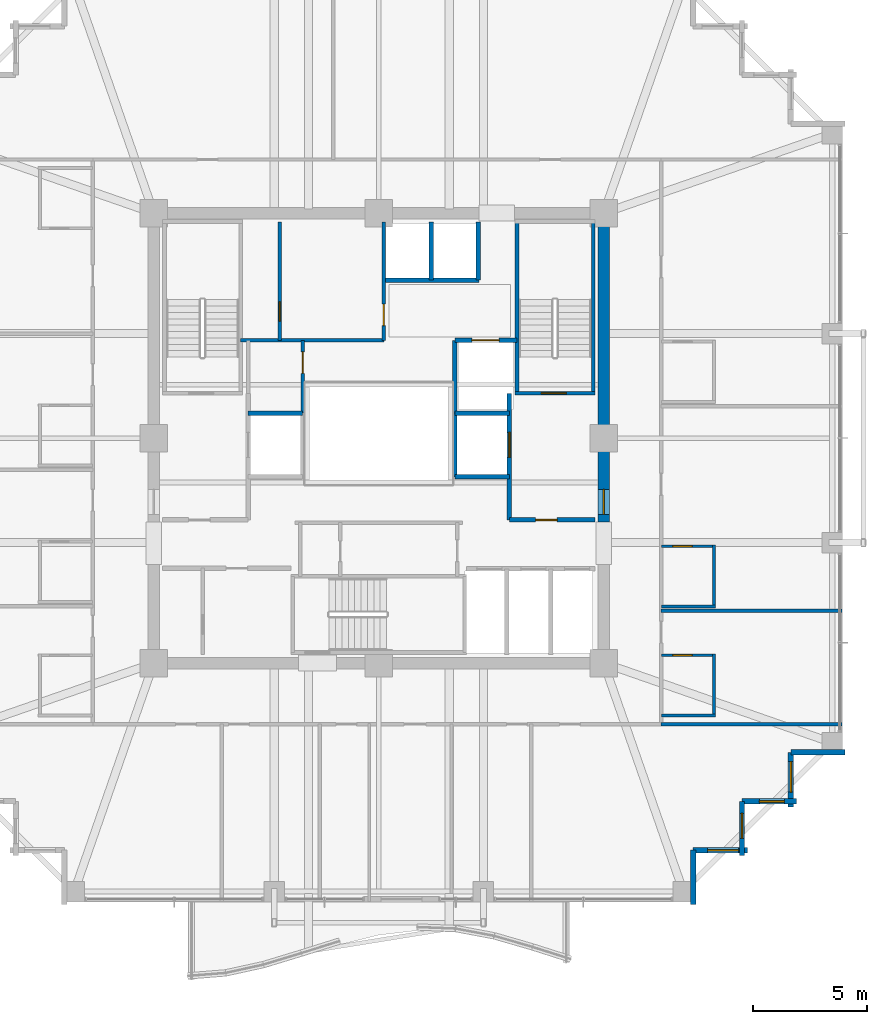
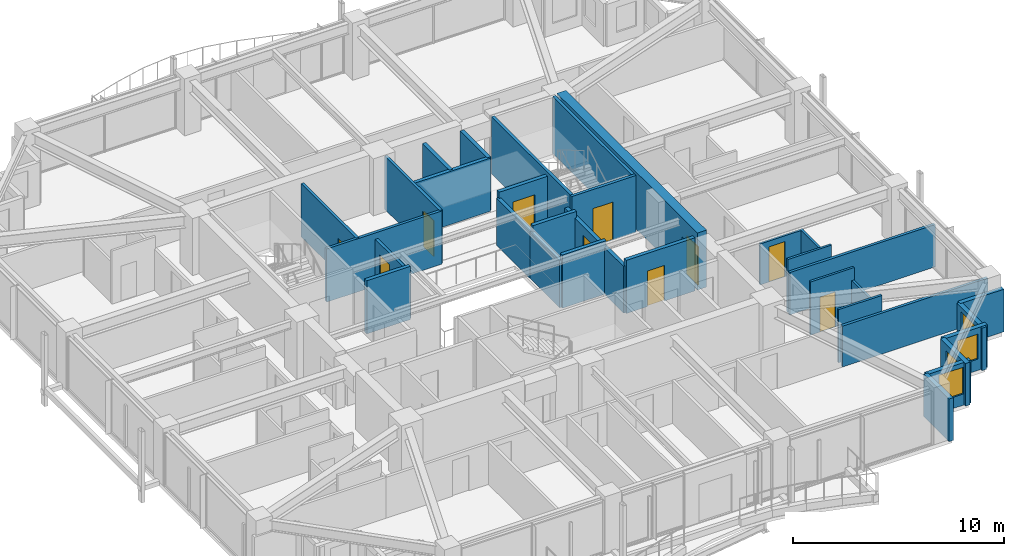
# One storey, part 33 of 37: 33 walls, 10 doors, 4 windows, 14 openings.
"""IFC4 building model written with IfcOpenShell, lengths in metres."""

import ifcopenshell
import ifcopenshell.guid

model = None  # the IFC model being written
_history = None  # IfcOwnerHistory: only IFC2X3 demands one
_inside = {}  # id of a spatial element -> (the spatial element, [elements in it])
_under = {}  # id of a project, library or spatial element -> (it, [spatial elements below it])
_declared = {}  # id of a project -> (the project, [libraries it declares])
_typed = {}  # id of a type object -> (the type object, [elements of that type])
_made_of = {}  # id of a material, layer set ... -> (it, [elements and type objects made of it])


def new_model(schema):
    """Start an empty IFC model of exactly this schema.

    Asked for "IFC4X3", IfcOpenShell would pick the latest addendum, in which some entities
    have other attributes; the version numbers below select the first issue.
    IFC2X3 requires an IfcOwnerHistory on every rooted entity: one is made here for all.
    """
    global model, _history
    if schema == "IFC4X3":
        model = ifcopenshell.file(schema_version=(4, 3, 0, 0))
    else:
        model = ifcopenshell.file(schema=schema)
    _inside.clear()
    _under.clear()
    _declared.clear()
    _typed.clear()
    _made_of.clear()
    _history = None
    if model.schema == "IFC2X3":
        org = make("IfcOrganization", Name="unknown")
        user = make(
            "IfcPersonAndOrganization",
            ThePerson=make("IfcPerson", FamilyName="unknown"),
            TheOrganization=org,
        )
        app = make(
            "IfcApplication",
            ApplicationDeveloper=org,
            Version="unknown",
            ApplicationFullName="unknown",
            ApplicationIdentifier="unknown",
        )
        _history = make(
            "IfcOwnerHistory",
            OwningUser=user,
            OwningApplication=app,
            ChangeAction="ADDED",
            CreationDate=0,
        )
    return model


def make(cls, **values):
    """One entity of the class cls with the attributes given. An attribute that is None is left unset."""
    return model.create_entity(
        cls, **{name: value for name, value in values.items() if value is not None}
    )


def rooted(cls, **values):
    """An entity with a GlobalId (a new one), such as an element, a storey or a relation."""
    return make(cls, GlobalId=ifcopenshell.guid.new(), OwnerHistory=_history, **values)


def si_unit(unit_type, name, prefix=None):
    """IfcSIUnit, for example si_unit("LENGTHUNIT", "METRE", prefix="MILLI")."""
    return make("IfcSIUnit", UnitType=unit_type, Prefix=prefix, Name=name)


def assignment(units):
    """IfcUnitAssignment: the units of a project."""
    return None if units is None else make("IfcUnitAssignment", Units=units)


def point(xyz):
    """IfcCartesianPoint."""
    return None if xyz is None else make("IfcCartesianPoint", Coordinates=xyz)


def direction(xyz):
    """IfcDirection."""
    return None if xyz is None else make("IfcDirection", DirectionRatios=xyz)


def frame(location, z_axis=None, x_axis=None):
    """IfcAxis2Placement3D, a coordinate frame: its origin and axes. An axis left out is left unset."""
    return make(
        "IfcAxis2Placement3D",
        Location=point(location),
        Axis=direction(z_axis),
        RefDirection=direction(x_axis),
    )


def frame_2d(location, x_axis=None):
    """IfcAxis2Placement2D, a coordinate frame in the plane: its origin and x axis."""
    return make(
        "IfcAxis2Placement2D", Location=point(location), RefDirection=direction(x_axis)
    )


def origin():
    """The frame at (0, 0, 0) with its axes left unset."""
    return frame((0.0, 0.0, 0.0))


def place(relative_to, where):
    """IfcLocalPlacement: puts the frame where relative to a parent placement (None: the world)."""
    return make(
        "IfcLocalPlacement", PlacementRelTo=relative_to, RelativePlacement=where
    )


def context(
    kind, dimensions, precision=None, world=None, true_north=None, identifier=None
):
    """IfcGeometricRepresentationContext, for example the 3D "Model" context."""
    return make(
        "IfcGeometricRepresentationContext",
        ContextIdentifier=identifier,
        ContextType=kind,
        CoordinateSpaceDimension=dimensions,
        Precision=precision,
        WorldCoordinateSystem=world,
        TrueNorth=true_north,
    )


def subcontext(parent, identifier, kind, view, scale=None):
    """IfcGeometricRepresentationSubContext, for example "Body" below "Model"."""
    return make(
        "IfcGeometricRepresentationSubContext",
        ContextIdentifier=identifier,
        ContextType=kind,
        ParentContext=parent,
        TargetScale=scale,
        TargetView=view,
    )


def project(units=None, contexts=None):
    """IfcProject with its units and contexts."""
    return rooted(
        "IfcProject",
        Name="project",
        RepresentationContexts=contexts,
        UnitsInContext=assignment(units),
    )


def spatial(cls, under=None, at=None, **own):
    """A site, building, storey or space (cls), placed at a placement, below another one or the project."""
    s = rooted(cls, ObjectPlacement=at, **own)
    if under is not None:
        _under.setdefault(under.id(), (under, []))[1].append(s)
    return s


def profile(cls, at=None, kind="AREA", **sizes):
    """A parametric profile (cls). Its sizes go by their IFC names, for example OverallWidth=200.0."""
    return make(cls, ProfileType=kind, Position=at, **sizes)


def rectangle(**sizes):
    """IfcRectangleProfileDef."""
    return profile("IfcRectangleProfileDef", **sizes)


def extrude(swept, where, along, depth):
    """IfcExtrudedAreaSolid: the profile swept, set in the frame where, extruded along a direction by depth."""
    return make(
        "IfcExtrudedAreaSolid",
        SweptArea=swept,
        Position=where,
        ExtrudedDirection=direction(along),
        Depth=depth,
    )


def shape(context_of_items, identifier, shape_type, items):
    """IfcShapeRepresentation: the items that make up one representation, for example the "Body"."""
    return make(
        "IfcShapeRepresentation",
        ContextOfItems=context_of_items,
        RepresentationIdentifier=identifier,
        RepresentationType=shape_type,
        Items=items,
    )


def material(Name=None, Category=None):
    """IfcMaterial."""
    return make("IfcMaterial", Name=Name, Category=Category)


def layer(
    of_material, thickness, ventilated=None, Name=None, Category=None, Priority=None
):
    """IfcMaterialLayer: one layer of a wall or slab, of a material (None: an air gap)."""
    return make(
        "IfcMaterialLayer",
        Material=of_material,
        LayerThickness=thickness,
        IsVentilated=ventilated,
        Name=Name,
        Category=Category,
        Priority=Priority,
    )


def layer_set(layers, Name=None):
    """IfcMaterialLayerSet."""
    return make("IfcMaterialLayerSet", MaterialLayers=layers, LayerSetName=Name)


def made_of(thing, what):
    """Note that an element or type object is made of a material, layer set ...; save() writes the relation."""
    if what is not None:
        _made_of.setdefault(what.id(), (what, []))[1].append(thing)
    return thing


def type_object(cls, material=None, **own):
    """A type object (cls), such as IfcWallType, which elements share."""
    return made_of(rooted(cls, **own), material)


def element(
    cls,
    number,
    at=None,
    inside=None,
    cuts=None,
    type_object=None,
    material=None,
    context=None,
    identifier="Body",
    shape_type=None,
    held_by="IfcProductDefinitionShape",
    body=None,
    shapes=None,
    **own,
):
    """One element of the class cls, such as IfcWall. Its Tag is "e" and its number.

    at: its placement. inside: the storey or other place that contains it. cuts: it is an
    opening in that element (IfcRelVoidsElement). A single representation is given by context,
    identifier, shape_type and body (its items); several are given by shapes. held_by: the class
    of the entity that holds the representations. save() writes the other relations.
    """
    e = rooted(cls, Tag="e%d" % number, ObjectPlacement=at, **own)
    if body is not None:
        shapes = [shape(context, identifier, shape_type, body)]
    if shapes is not None:
        e.Representation = make(held_by, Representations=shapes)
    if inside is not None:
        _inside.setdefault(inside.id(), (inside, []))[1].append(e)
    if cuts is not None:
        rooted(
            "IfcRelVoidsElement", RelatingBuildingElement=cuts, RelatedOpeningElement=e
        )
    if type_object is not None:
        _typed.setdefault(type_object.id(), (type_object, []))[1].append(e)
    return made_of(e, material)


def fill(opening, filler):
    """IfcRelFillsElement: the door or window that sits in an opening."""
    return rooted(
        "IfcRelFillsElement",
        RelatingOpeningElement=opening,
        RelatedBuildingElement=filler,
    )


def aggregate(whole, parts):
    """IfcRelAggregates: a whole, such as a stair, and the parts it consists of."""
    return rooted("IfcRelAggregates", RelatingObject=whole, RelatedObjects=parts)


def save(model, path):
    """Write the relations noted so far, then the file.

    IfcRelAggregates (storeys below a building ...), IfcRelContainedInSpatialStructure (elements
    in a storey), IfcRelDefinesByType, IfcRelAssociatesMaterial and IfcRelDeclares: one each for
    every whole, place, type object, material and project.
    """
    for whole, parts in _under.values():
        aggregate(whole, parts)
    for where, things in _inside.values():
        rooted(
            "IfcRelContainedInSpatialStructure",
            RelatedElements=things,
            RelatingStructure=where,
        )
    for kind, things in _typed.values():
        rooted("IfcRelDefinesByType", RelatedObjects=things, RelatingType=kind)
    for what, things in _made_of.values():
        rooted("IfcRelAssociatesMaterial", RelatedObjects=things, RelatingMaterial=what)
    for by, libraries in _declared.values():
        rooted("IfcRelDeclares", RelatingContext=by, RelatedDefinitions=libraries)
    model.write(path)


model = new_model("IFC4")

# Units and contexts
model_context = context("Model", 3, precision=1e-05, world=origin(), true_north=direction((0.0, 1.0)))
body_context = subcontext(model_context, "Body", "Model", "MODEL_VIEW")
ifc_project = project(units=[si_unit("LENGTHUNIT", "METRE"), si_unit("AREAUNIT", "SQUARE_METRE"), si_unit("VOLUMEUNIT", "CUBIC_METRE"), si_unit("PLANEANGLEUNIT", "RADIAN"), si_unit("MASSUNIT", "GRAM", prefix="KILO")], contexts=[model_context])

# Site, building, storey
site_placement = place(None, origin())
site = spatial("IfcSite", under=ifc_project, at=site_placement, CompositionType="ELEMENT")
building_placement = place(site_placement, origin())
building = spatial("IfcBuilding", under=site, at=building_placement, Name="Kolvaren Belvedere", CompositionType="ELEMENT")
storey_placement = place(building_placement, frame((0.0, 0.0, 173.39990234375)))
storey = spatial("IfcBuildingStorey", under=building, at=storey_placement, Name="L50", CompositionType="ELEMENT", Elevation=173.39990234375)

# Wall, opening, door
ifc_material_1 = material(Name="Concrete C50/60", Category="concrete")
ifc_layer_1 = layer(ifc_material_1, 0.5)
ifc_layer_set_1 = layer_set([ifc_layer_1], Name="Concrete C50/60")
wall_type_1 = type_object("IfcWallType", Name="CW-CORE-500", PredefinedType="SHEAR", material=ifc_layer_set_1)
wall_1_placement = place(storey_placement, frame((9.89990234375, -3.699951171875, 0.0), z_axis=(0.0, 0.0, 1.0), x_axis=(0.0, 1.0, 0.0)))
wall_1 = element("IfcWall", 1, at=wall_1_placement, inside=storey, type_object=wall_type_1, Name="L50 East Core Shear Wall 2", PredefinedType="SHEAR", context=body_context, shape_type="SweptSolid", body=[
    extrude(rectangle(XDim=13.349853515625, YDim=0.5, at=frame_2d((6.6748046875, 0.0))), origin(), (0.0, 0.0, 1.0), 3.300048828125),
])
opening_1_placement = place(wall_1_placement, frame((0.35009765625, 0.0, 0.0)))
opening_1 = element("IfcOpeningElement", 2, at=opening_1_placement, cuts=wall_1, Name="Opening D-FD90", PredefinedType="OPENING", context=body_context, shape_type="SweptSolid", body=[
    extrude(rectangle(XDim=1.10009765625, YDim=2.199951171875, at=frame_2d((0.550048828125, 1.10009765625))), frame((0.0, 0.260009765625, 0.0), z_axis=(0.0, -1.0, 0.0), x_axis=(1.0, 0.0, 0.0)), (0.0, 0.0, 1.0), 0.52001953125),
])
ifc_material_2 = material(Name="Painted hollow stainless steel", Category="steel")
door_type_1 = type_object("IfcDoorType", Name="DR-FD90-1100", OperationType="NOTDEFINED", PredefinedType="DOOR", material=ifc_material_2)
door_1_placement = place(opening_1_placement, origin())
door_1 = element("IfcDoor", 3, at=door_1_placement, inside=storey, type_object=door_type_1, Name="L50 East Firefighting Lobby Fire Door", OperationType="SINGLE_SWING_RIGHT", OverallHeight=2.199951171875, OverallWidth=1.10009765625, PredefinedType="DOOR", context=body_context, shape_type="SweptSolid", body=[
    extrude(rectangle(XDim=1.10009765625, YDim=2.199951171875, at=frame_2d((0.550048828125, 1.10009765625))), frame((0.0, 0.02490234375, 0.0), z_axis=(0.0, -1.0, 0.0), x_axis=(1.0, 0.0, 0.0)), (0.0, 0.0, 1.0), 0.050048828125),
])
fill(opening_1, door_1)

ifc_material_3 = material(Name="Concrete C50/60", Category="concrete")
ifc_layer_2 = layer(ifc_material_3, 0.159912109375)
ifc_layer_set_2 = layer_set([ifc_layer_2], Name="Concrete C50/60")
wall_type_2 = type_object("IfcWallType", Name="CW-STAIR-160", PredefinedType="SHEAR", material=ifc_layer_set_2)
wall_2_placement = place(storey_placement, frame((6.0, 1.969970703125, 0.0), z_axis=(0.0, 0.0, 1.0), x_axis=(1.0, 0.0, 0.0)))
wall_2 = element("IfcWall", 4, at=wall_2_placement, inside=storey, type_object=wall_type_2, Name="L50 Stair ST-2 South Shear Wall", PredefinedType="SHEAR", context=body_context, shape_type="SweptSolid", body=[
    extrude(rectangle(XDim=3.52001953125, YDim=0.159912109375, at=frame_2d((1.760009765625, 0.0))), origin(), (0.0, 0.0, 1.0), 3.300048828125),
])
opening_2_placement = place(wall_2_placement, frame((1.14990234375, 0.0, 0.0)))
opening_2 = element("IfcOpeningElement", 5, at=opening_2_placement, cuts=wall_2, Name="Opening D-FD90", PredefinedType="OPENING", context=body_context, shape_type="SweptSolid", body=[
    extrude(rectangle(XDim=1.10009765625, YDim=2.199951171875, at=frame_2d((0.550048828125, 1.10009765625))), frame((0.0, 0.08984375, 0.0), z_axis=(0.0, -1.0, 0.0), x_axis=(1.0, 0.0, 0.0)), (0.0, 0.0, 1.0), 0.179931640625),
])
door_2_placement = place(opening_2_placement, origin())
door_2 = element("IfcDoor", 6, at=door_2_placement, inside=storey, type_object=door_type_1, Name="L50 Stair ST-2 Fire Door", OperationType="SINGLE_SWING_RIGHT", OverallHeight=2.199951171875, OverallWidth=1.10009765625, PredefinedType="DOOR", context=body_context, shape_type="SweptSolid", body=[
    extrude(rectangle(XDim=1.10009765625, YDim=2.199951171875, at=frame_2d((0.550048828125, 1.10009765625))), frame((0.0, 0.02490234375, 0.0), z_axis=(0.0, -1.0, 0.0), x_axis=(1.0, 0.0, 0.0)), (0.0, 0.0, 1.0), 0.050048828125),
])
fill(opening_2, door_2)

# Walls
for number, where, z_axis, x_axis, name in (
    (7, (6.080078125, 1.969970703125, 0.0), (0.0, 0.0, 1.0), (0.0, 1.0, 0.0), "L50 Stair ST-2 West Shear Wall"),
    (8, (9.429931640625, 1.969970703125, 0.0), (0.0, 0.0, 1.0), (0.0, 1.0, 0.0), "L50 Stair ST-2 East Shear Wall"),
):
    element("IfcWall", number, at=place(storey_placement, frame(where, z_axis=z_axis, x_axis=x_axis)), inside=storey, type_object=wall_type_2, Name=name, PredefinedType="SHEAR", context=body_context, shape_type="SweptSolid", body=[
        extrude(rectangle(XDim=7.56005859375, YDim=0.159912109375, at=frame_2d((3.780029296875, 0.0))), origin(), (0.0, 0.0, 1.0), 3.300048828125),
    ])
ifc_material_4 = material(Name="Insulated pale-metal facade wall assembly", Category="aluminium")
ifc_layer_3 = layer(ifc_material_4, 0.239990234375)
ifc_layer_set_3 = layer_set([ifc_layer_3], Name="Insulated pale-metal facade wall assembly")
wall_type_3 = type_object("IfcWallType", Name="WL-EXT-240", PredefinedType="STANDARD", material=ifc_layer_set_3)
wall_3_placement = place(storey_placement, frame((13.830078125, -18.1298828125, 0.0), z_axis=(0.0, 0.0, 1.0), x_axis=(0.0, -1.0, 0.0)))
element("IfcWall", 9, at=wall_3_placement, inside=storey, type_object=wall_type_3, Name="L50 Serrated Corner Facade Wall 2", PredefinedType="STANDARD", context=body_context, shape_type="SweptSolid", body=[
    extrude(rectangle(XDim=2.39013671875, YDim=0.239990234375, at=frame_2d((1.195068359375, 0.0))), origin(), (0.0, 0.0, 1.0), 2.463134765625),
])

# Wall, opening, window
wall_4_placement = place(storey_placement, frame((16.219970703125, -18.1298828125, 0.0), z_axis=(0.0, 0.0, 1.0), x_axis=(-1.0, 0.0, 0.0)))
wall_4 = element("IfcWall", 10, at=wall_4_placement, inside=storey, type_object=wall_type_3, Name="L50 Serrated Corner Facade Wall 3", PredefinedType="STANDARD", context=body_context, shape_type="SweptSolid", body=[
    extrude(rectangle(XDim=2.389892578125, YDim=0.239990234375, at=frame_2d((1.19482421875, 0.0))), origin(), (0.0, 0.0, 1.0), 2.463134765625),
])
opening_3_placement = place(wall_4_placement, frame((0.39990234375, 0.0, 0.64990234375)))
opening_3 = element("IfcOpeningElement", 11, at=opening_3_placement, cuts=wall_4, Name="Opening W-1350", PredefinedType="OPENING", context=body_context, shape_type="SweptSolid", body=[
    extrude(rectangle(XDim=1.35009765625, YDim=1.550048828125, at=frame_2d((0.675048828125, 0.77490234375))), frame((0.0, 0.1298828125, 0.0), z_axis=(0.0, -1.0, 0.0), x_axis=(1.0, 0.0, 0.0)), (0.0, 0.0, 1.0), 0.260009765625),
])
ifc_material_5 = material(Name="Low-iron triple insulated glass", Category="glass")
window_type_1 = type_object("IfcWindowType", Name="WN-CORN-1350", PartitioningType="SINGLE_PANEL", PredefinedType="WINDOW", material=ifc_material_5)
window_1_placement = place(opening_3_placement, origin())
window_1 = element("IfcWindow", 12, at=window_1_placement, inside=storey, type_object=window_type_1, Name="L50 Serrated Corner Vision Window 3", OverallHeight=1.550048828125, OverallWidth=1.35009765625, PartitioningType="SINGLE_PANEL", PredefinedType="WINDOW", context=body_context, shape_type="SweptSolid", body=[
    extrude(rectangle(XDim=1.35009765625, YDim=1.550048828125, at=frame_2d((0.675048828125, 0.77490234375))), frame((0.0, 0.030029296875, 0.0), z_axis=(0.0, -1.0, 0.0), x_axis=(1.0, 0.0, 0.0)), (0.0, 0.0, 1.0), 0.06005859375),
])
fill(opening_3, window_1)

wall_5_placement = place(storey_placement, frame((15.97998046875, -15.97998046875, 0.0), z_axis=(0.0, 0.0, 1.0), x_axis=(0.0, -1.0, 0.0)))
wall_5 = element("IfcWall", 13, at=wall_5_placement, inside=storey, type_object=wall_type_3, Name="L50 Serrated Corner Facade Wall 4", PredefinedType="STANDARD", context=body_context, shape_type="SweptSolid", body=[
    extrude(rectangle(XDim=2.39013671875, YDim=0.239990234375, at=frame_2d((1.195068359375, 0.0))), origin(), (0.0, 0.0, 1.0), 2.463134765625),
])
opening_4_placement = place(wall_5_placement, frame((0.52490234375, 0.0, 0.64990234375)))
opening_4 = element("IfcOpeningElement", 14, at=opening_4_placement, cuts=wall_5, Name="Opening W-1100", PredefinedType="OPENING", context=body_context, shape_type="SweptSolid", body=[
    extrude(rectangle(XDim=1.10009765625, YDim=1.449951171875, at=frame_2d((0.550048828125, 0.72509765625))), frame((0.0, 0.1298828125, 0.0), z_axis=(0.0, -1.0, 0.0), x_axis=(1.0, 0.0, 0.0)), (0.0, 0.0, 1.0), 0.260009765625),
])
ifc_material_6 = material(Name="Low-iron triple insulated glass", Category="glass")
window_type_2 = type_object("IfcWindowType", Name="WN-CORN-1100", PartitioningType="SINGLE_PANEL", PredefinedType="WINDOW", material=ifc_material_6)
window_2_placement = place(opening_4_placement, origin())
window_2 = element("IfcWindow", 15, at=window_2_placement, inside=storey, type_object=window_type_2, Name="L50 Serrated Corner Vision Window 4", OverallHeight=1.449951171875, OverallWidth=1.10009765625, PartitioningType="SINGLE_PANEL", PredefinedType="WINDOW", context=body_context, shape_type="SweptSolid", body=[
    extrude(rectangle(XDim=1.10009765625, YDim=1.449951171875, at=frame_2d((0.550048828125, 0.72509765625))), frame((0.0, 0.030029296875, 0.0), z_axis=(0.0, -1.0, 0.0), x_axis=(1.0, 0.0, 0.0)), (0.0, 0.0, 1.0), 0.06005859375),
])
fill(opening_4, window_2)

wall_6_placement = place(storey_placement, frame((18.3701171875, -15.97998046875, 0.0), z_axis=(0.0, 0.0, 1.0), x_axis=(-1.0, 0.0, 0.0)))
wall_6 = element("IfcWall", 16, at=wall_6_placement, inside=storey, type_object=wall_type_3, Name="L50 Serrated Corner Facade Wall 5", PredefinedType="STANDARD", context=body_context, shape_type="SweptSolid", body=[
    extrude(rectangle(XDim=2.39013671875, YDim=0.239990234375, at=frame_2d((1.195068359375, 0.0))), origin(), (0.0, 0.0, 1.0), 2.463134765625),
])
opening_5_placement = place(wall_6_placement, frame((0.52490234375, 0.0, 0.64990234375)))
opening_5 = element("IfcOpeningElement", 17, at=opening_5_placement, cuts=wall_6, Name="Opening W-1100", PredefinedType="OPENING", context=body_context, shape_type="SweptSolid", body=[
    extrude(rectangle(XDim=1.10009765625, YDim=1.449951171875, at=frame_2d((0.550048828125, 0.72509765625))), frame((0.0, 0.1298828125, 0.0), z_axis=(0.0, -1.0, 0.0), x_axis=(1.0, 0.0, 0.0)), (0.0, 0.0, 1.0), 0.260009765625),
])
window_3_placement = place(opening_5_placement, origin())
window_3 = element("IfcWindow", 18, at=window_3_placement, inside=storey, type_object=window_type_2, Name="L50 Serrated Corner Vision Window 5", OverallHeight=1.449951171875, OverallWidth=1.10009765625, PartitioningType="SINGLE_PANEL", PredefinedType="WINDOW", context=body_context, shape_type="SweptSolid", body=[
    extrude(rectangle(XDim=1.10009765625, YDim=1.449951171875, at=frame_2d((0.550048828125, 0.72509765625))), frame((0.0, 0.030029296875, 0.0), z_axis=(0.0, -1.0, 0.0), x_axis=(1.0, 0.0, 0.0)), (0.0, 0.0, 1.0), 0.06005859375),
])
fill(opening_5, window_3)

wall_7_placement = place(storey_placement, frame((18.1298828125, -13.830078125, 0.0), z_axis=(0.0, 0.0, 1.0), x_axis=(0.0, -1.0, 0.0)))
wall_7 = element("IfcWall", 19, at=wall_7_placement, inside=storey, type_object=wall_type_3, Name="L50 Serrated Corner Facade Wall 6", PredefinedType="STANDARD", context=body_context, shape_type="SweptSolid", body=[
    extrude(rectangle(XDim=2.389892578125, YDim=0.239990234375, at=frame_2d((1.19482421875, 0.0))), origin(), (0.0, 0.0, 1.0), 2.463134765625),
])
opening_6_placement = place(wall_7_placement, frame((0.39990234375, 0.0, 0.64990234375)))
opening_6 = element("IfcOpeningElement", 20, at=opening_6_placement, cuts=wall_7, Name="Opening W-1350", PredefinedType="OPENING", context=body_context, shape_type="SweptSolid", body=[
    extrude(rectangle(XDim=1.35009765625, YDim=1.550048828125, at=frame_2d((0.675048828125, 0.77490234375))), frame((0.0, 0.1298828125, 0.0), z_axis=(0.0, -1.0, 0.0), x_axis=(1.0, 0.0, 0.0)), (0.0, 0.0, 1.0), 0.260009765625),
])
window_4_placement = place(opening_6_placement, origin())
window_4 = element("IfcWindow", 21, at=window_4_placement, inside=storey, type_object=window_type_1, Name="L50 Serrated Corner Vision Window 6", OverallHeight=1.550048828125, OverallWidth=1.35009765625, PartitioningType="SINGLE_PANEL", PredefinedType="WINDOW", context=body_context, shape_type="SweptSolid", body=[
    extrude(rectangle(XDim=1.35009765625, YDim=1.550048828125, at=frame_2d((0.675048828125, 0.77490234375))), frame((0.0, 0.030029296875, 0.0), z_axis=(0.0, -1.0, 0.0), x_axis=(1.0, 0.0, 0.0)), (0.0, 0.0, 1.0), 0.06005859375),
])
fill(opening_6, window_4)

# Walls
wall_8_placement = place(storey_placement, frame((20.52001953125, -13.830078125, 0.0), z_axis=(0.0, 0.0, 1.0), x_axis=(-1.0, 0.0, 0.0)))
element("IfcWall", 22, at=wall_8_placement, inside=storey, type_object=wall_type_3, Name="L50 Serrated Corner Facade Wall 7", PredefinedType="STANDARD", context=body_context, shape_type="SweptSolid", body=[
    extrude(rectangle(XDim=2.39013671875, YDim=0.239990234375, at=frame_2d((1.195068359375, 0.0))), origin(), (0.0, 0.0, 1.0), 2.463134765625),
])
ifc_material_7 = material(Name="Gypsum acoustic partition assembly", Category="gypsum")
ifc_layer_4 = layer(ifc_material_7, 0.14990234375)
ifc_layer_set_4 = layer_set([ifc_layer_4], Name="Gypsum acoustic partition assembly")
wall_type_4 = type_object("IfcWallType", Name="WL-PART-150", PredefinedType="PARTITIONING", material=ifc_layer_set_4)
wall_9_placement = place(storey_placement, frame((-6.080078125, 4.300048828125, 0.0), z_axis=(0.0, 0.0, 1.0), x_axis=(1.0, 0.0, 0.0)))
element("IfcWall", 23, at=wall_9_placement, inside=storey, type_object=wall_type_4, Name="L50 Reclaimed Salon South Wall", PredefinedType="PARTITIONING", context=body_context, shape_type="SweptSolid", body=[
    extrude(rectangle(XDim=6.300048828125, YDim=0.14990234375, at=frame_2d((3.14990234375, 0.0))), origin(), (0.0, 0.0, 1.0), 3.080078125),
])

# Wall, opening, door
wall_10_placement = place(storey_placement, frame((0.219970703125, 4.300048828125, 0.0), z_axis=(0.0, 0.0, 1.0), x_axis=(0.0, 1.0, 0.0)))
wall_10 = element("IfcWall", 24, at=wall_10_placement, inside=storey, type_object=wall_type_4, Name="L50 Reclaimed Salon East Wall", PredefinedType="PARTITIONING", context=body_context, shape_type="SweptSolid", body=[
    extrude(rectangle(XDim=5.219970703125, YDim=0.14990234375, at=frame_2d((2.60986328125, 0.0))), origin(), (0.0, 0.0, 1.0), 3.080078125),
])
opening_7_placement = place(wall_10_placement, frame((0.64990234375, 0.0, 0.0)))
opening_7 = element("IfcOpeningElement", 25, at=opening_7_placement, cuts=wall_10, Name="Opening D-INT95", PredefinedType="OPENING", context=body_context, shape_type="SweptSolid", body=[
    extrude(rectangle(XDim=0.949951171875, YDim=2.06005859375, at=frame_2d((0.47509765625, 1.030029296875))), frame((0.0, 0.0849609375, 0.0), z_axis=(0.0, -1.0, 0.0), x_axis=(1.0, 0.0, 0.0)), (0.0, 0.0, 1.0), 0.169921875),
])
ifc_material_8 = material(Name="Stained Pacific white oak", Category="timber")
door_type_2 = type_object("IfcDoorType", Name="DR-INT-950", OperationType="NOTDEFINED", PredefinedType="DOOR", material=ifc_material_8)
door_3_placement = place(opening_7_placement, origin())
door_3 = element("IfcDoor", 26, at=door_3_placement, inside=storey, type_object=door_type_2, Name="L50 Art Salon Door", OperationType="SINGLE_SWING_LEFT", OverallHeight=2.06005859375, OverallWidth=0.949951171875, PredefinedType="DOOR", context=body_context, shape_type="SweptSolid", body=[
    extrude(rectangle(XDim=0.949951171875, YDim=2.06005859375, at=frame_2d((0.47509765625, 1.030029296875))), frame((0.0, 0.02490234375, 0.0), z_axis=(0.0, -1.0, 0.0), x_axis=(1.0, 0.0, 0.0)), (0.0, 0.0, 1.0), 0.050048828125),
])
fill(opening_7, door_3)

wall_11_placement = place(storey_placement, frame((-4.35009765625, 4.300048828125, 0.0), z_axis=(0.0, 0.0, 1.0), x_axis=(0.0, 1.0, 0.0)))
wall_11 = element("IfcWall", 27, at=wall_11_placement, inside=storey, type_object=wall_type_4, Name="L50 Reclaimed Archive Divider", PredefinedType="PARTITIONING", context=body_context, shape_type="SweptSolid", body=[
    extrude(rectangle(XDim=5.219970703125, YDim=0.14990234375, at=frame_2d((2.60986328125, 0.0))), origin(), (0.0, 0.0, 1.0), 3.080078125),
])
opening_8_placement = place(wall_11_placement, frame((0.85009765625, 0.0, 0.0)))
opening_8 = element("IfcOpeningElement", 28, at=opening_8_placement, cuts=wall_11, Name="Opening D-INT85", PredefinedType="OPENING", context=body_context, shape_type="SweptSolid", body=[
    extrude(rectangle(XDim=0.85009765625, YDim=2.030029296875, at=frame_2d((0.425048828125, 1.01513671875))), frame((0.0, 0.0849609375, 0.0), z_axis=(0.0, -1.0, 0.0), x_axis=(1.0, 0.0, 0.0)), (0.0, 0.0, 1.0), 0.169921875),
])
ifc_material_9 = material(Name="Stained Pacific white oak", Category="timber")
door_type_3 = type_object("IfcDoorType", Name="DR-INT-850", OperationType="NOTDEFINED", PredefinedType="DOOR", material=ifc_material_9)
door_4_placement = place(opening_8_placement, origin())
door_4 = element("IfcDoor", 29, at=door_4_placement, inside=storey, type_object=door_type_3, Name="L50 Archive Store Door", OperationType="SINGLE_SWING_RIGHT", OverallHeight=2.030029296875, OverallWidth=0.85009765625, PredefinedType="DOOR", context=body_context, shape_type="SweptSolid", body=[
    extrude(rectangle(XDim=0.85009765625, YDim=2.030029296875, at=frame_2d((0.425048828125, 1.01513671875))), frame((0.0, 0.02490234375, 0.0), z_axis=(0.0, -1.0, 0.0), x_axis=(1.0, 0.0, 0.0)), (0.0, 0.0, 1.0), 0.050048828125),
])
fill(opening_8, door_4)

wall_12_placement = place(storey_placement, frame((-3.35009765625, 1.10009765625, 0.0), z_axis=(0.0, 0.0, 1.0), x_axis=(0.0, 1.0, 0.0)))
wall_12 = element("IfcWall", 30, at=wall_12_placement, inside=storey, type_object=wall_type_4, Name="L50 NW Service Room East Wall", PredefinedType="PARTITIONING", context=body_context, shape_type="SweptSolid", body=[
    extrude(rectangle(XDim=3.199951171875, YDim=0.14990234375, at=frame_2d((1.60009765625, 0.0))), origin(), (0.0, 0.0, 1.0), 2.715087890625),
])
opening_9_placement = place(wall_12_placement, frame((1.75, 0.0, 0.0)))
opening_9 = element("IfcOpeningElement", 31, at=opening_9_placement, cuts=wall_12, Name="Opening D-FD60", PredefinedType="OPENING", context=body_context, shape_type="SweptSolid", body=[
    extrude(rectangle(XDim=0.949951171875, YDim=2.06005859375, at=frame_2d((0.47509765625, 1.030029296875))), frame((0.0, 0.0849609375, 0.0), z_axis=(0.0, -1.0, 0.0), x_axis=(1.0, 0.0, 0.0)), (0.0, 0.0, 1.0), 0.169921875),
])
ifc_material_10 = material(Name="Acoustic white-oak fire door leaf", Category="timber")
door_type_4 = type_object("IfcDoorType", Name="DR-FD60-950", OperationType="NOTDEFINED", PredefinedType="DOOR", material=ifc_material_10)
door_5_placement = place(opening_9_placement, origin())
door_5 = element("IfcDoor", 32, at=door_5_placement, inside=storey, type_object=door_type_4, Name="L50 NW Core Store Door", OperationType="SINGLE_SWING_LEFT", OverallHeight=2.06005859375, OverallWidth=0.949951171875, PredefinedType="DOOR", context=body_context, shape_type="SweptSolid", body=[
    extrude(rectangle(XDim=0.949951171875, YDim=2.06005859375, at=frame_2d((0.47509765625, 1.030029296875))), frame((0.0, 0.02490234375, 0.0), z_axis=(0.0, -1.0, 0.0), x_axis=(1.0, 0.0, 0.0)), (0.0, 0.0, 1.0), 0.050048828125),
])
fill(opening_9, door_5)

# Walls
wall_13_placement = place(storey_placement, frame((12.419921875, -12.580078125, 0.0), z_axis=(0.0, 0.0, 1.0), x_axis=(1.0, 0.0, 0.0)))
element("IfcWall", 33, at=wall_13_placement, inside=storey, type_object=wall_type_4, Name="L50 Wing Divider PW-L50-QSE", PredefinedType="PARTITIONING", context=body_context, shape_type="SweptSolid", body=[
    extrude(rectangle(XDim=7.9599609375, YDim=0.14990234375, at=frame_2d((3.97998046875, 0.0))), origin(), (0.0, 0.0, 1.0), 2.369140625),
])
wall_14_placement = place(storey_placement, frame((12.419921875, -7.60009765625, 0.0), z_axis=(0.0, 0.0, 1.0), x_axis=(1.0, 0.0, 0.0)))
element("IfcWall", 34, at=wall_14_placement, inside=storey, type_object=wall_type_4, Name="L50 East Suite Demising Wall 1", PredefinedType="PARTITIONING", context=body_context, shape_type="SweptSolid", body=[
    extrude(rectangle(XDim=7.9599609375, YDim=0.14990234375, at=frame_2d((3.97998046875, 0.0))), origin(), (0.0, 0.0, 1.0), 2.453125),
])
ifc_material_11 = material(Name="Concrete C50/60", Category="concrete")
ifc_layer_5 = layer(ifc_material_11, 0.199951171875)
ifc_layer_set_5 = layer_set([ifc_layer_5], Name="Concrete C50/60")
wall_type_5 = type_object("IfcWallType", Name="WL-SHAFT-200", PredefinedType="SOLIDWALL", material=ifc_layer_set_5)
wall_15_placement = place(storey_placement, frame((-5.75, 1.10009765625, 0.0), z_axis=(0.0, 0.0, 1.0), x_axis=(1.0, 0.0, 0.0)))
element("IfcWall", 35, at=wall_15_placement, inside=storey, type_object=wall_type_5, Name="L50 FSAE FS1 North Wall", PredefinedType="SOLIDWALL", context=body_context, shape_type="SweptSolid", body=[
    extrude(rectangle(XDim=2.39990234375, YDim=0.199951171875, at=frame_2d((1.199951171875, 0.0))), origin(), (0.0, 0.0, 1.0), 3.080078125),
])

# Wall, opening, door
wall_16_placement = place(storey_placement, frame((5.75, -3.60009765625, 0.0), z_axis=(0.0, 0.0, 1.0), x_axis=(1.0, 0.0, 0.0)))
wall_16 = element("IfcWall", 36, at=wall_16_placement, inside=storey, type_object=wall_type_5, Name="L50 East FSAE Lobby South Wall", PredefinedType="SOLIDWALL", context=body_context, shape_type="SweptSolid", body=[
    extrude(rectangle(XDim=3.77001953125, YDim=0.199951171875, at=frame_2d((1.885009765625, 0.0))), origin(), (0.0, 0.0, 1.0), 3.080078125),
])
opening_10_placement = place(wall_16_placement, frame((1.14990234375, 0.0, 0.0)))
opening_10 = element("IfcOpeningElement", 37, at=opening_10_placement, cuts=wall_16, Name="Opening D-FD60", PredefinedType="OPENING", context=body_context, shape_type="SweptSolid", body=[
    extrude(rectangle(XDim=0.949951171875, YDim=2.06005859375, at=frame_2d((0.47509765625, 1.030029296875))), frame((0.0, 0.10986328125, 0.0), z_axis=(0.0, -1.0, 0.0), x_axis=(1.0, 0.0, 0.0)), (0.0, 0.0, 1.0), 0.219970703125),
])
door_6_placement = place(opening_10_placement, origin())
door_6 = element("IfcDoor", 38, at=door_6_placement, inside=storey, type_object=door_type_4, Name="L50 SE Lift Lobby Fire Door", OperationType="SINGLE_SWING_RIGHT", OverallHeight=2.06005859375, OverallWidth=0.949951171875, PredefinedType="DOOR", context=body_context, shape_type="SweptSolid", body=[
    extrude(rectangle(XDim=0.949951171875, YDim=2.06005859375, at=frame_2d((0.47509765625, 1.030029296875))), frame((0.0, 0.02490234375, 0.0), z_axis=(0.0, -1.0, 0.0), x_axis=(1.0, 0.0, 0.0)), (0.0, 0.0, 1.0), 0.050048828125),
])
fill(opening_10, door_6)

wall_17_placement = place(storey_placement, frame((5.75, -3.60009765625, 0.0), z_axis=(0.0, 0.0, 1.0), x_axis=(0.0, 1.0, 0.0)))
wall_17 = element("IfcWall", 39, at=wall_17_placement, inside=storey, type_object=wall_type_5, Name="L50 FSAE FS2 Landing Wall", PredefinedType="SOLIDWALL", context=body_context, shape_type="SweptSolid", body=[
    extrude(rectangle(XDim=5.570068359375, YDim=0.199951171875, at=frame_2d((2.78515625, 0.0))), origin(), (0.0, 0.0, 1.0), 2.715087890625),
])
opening_11_placement = place(wall_17_placement, frame((2.75, 0.0, 0.0)))
opening_11 = element("IfcOpeningElement", 40, at=opening_11_placement, cuts=wall_17, Name="Opening LD-11", PredefinedType="OPENING", context=body_context, shape_type="SweptSolid", body=[
    extrude(rectangle(XDim=1.10009765625, YDim=2.199951171875, at=frame_2d((0.550048828125, 1.10009765625))), frame((0.0, 0.10986328125, 0.0), z_axis=(0.0, -1.0, 0.0), x_axis=(1.0, 0.0, 0.0)), (0.0, 0.0, 1.0), 0.219970703125),
])
ifc_material_12 = material(Name="Brushed stainless steel", Category="steel")
door_type_5 = type_object("IfcDoorType", Name="DR-LIFT-1100", OperationType="DOUBLE_DOOR_SLIDING", PredefinedType="DOOR", material=ifc_material_12)
door_7_placement = place(opening_11_placement, origin())
door_7 = element("IfcDoor", 41, at=door_7_placement, inside=storey, type_object=door_type_5, Name="L50 Firefighting Lift FS2 Landing Door", OperationType="DOUBLE_DOOR_SLIDING", OverallHeight=2.199951171875, OverallWidth=1.10009765625, PredefinedType="DOOR", context=body_context, shape_type="SweptSolid", body=[
    extrude(rectangle(XDim=1.10009765625, YDim=2.199951171875, at=frame_2d((0.550048828125, 1.10009765625))), frame((0.0, 0.02490234375, 0.0), z_axis=(0.0, -1.0, 0.0), x_axis=(1.0, 0.0, 0.0)), (0.0, 0.0, 1.0), 0.050048828125),
])
fill(opening_11, door_7)

# Walls
wall_18_placement = place(storey_placement, frame((3.35009765625, -1.699951171875, 0.0), z_axis=(0.0, 0.0, 1.0), x_axis=(0.0, 1.0, 0.0)))
element("IfcWall", 42, at=wall_18_placement, inside=storey, type_object=wall_type_5, Name="L50 FSAE FS2 Back Wall", PredefinedType="SOLIDWALL", context=body_context, shape_type="SweptSolid", body=[
    extrude(rectangle(XDim=2.800048828125, YDim=0.199951171875, at=frame_2d((1.39990234375, 0.0))), origin(), (0.0, 0.0, 1.0), 2.715087890625),
])
for number, where, z_axis, x_axis, name in (
    (43, (3.35009765625, -1.699951171875, 0.0), (0.0, 0.0, 1.0), (1.0, 0.0, 0.0), "L50 FSAE FS2 South Wall"),
    (44, (3.35009765625, 1.10009765625, 0.0), (0.0, 0.0, 1.0), (1.0, 0.0, 0.0), "L50 FSAE FS2 North Wall"),
):
    element("IfcWall", number, at=place(storey_placement, frame(where, z_axis=z_axis, x_axis=x_axis)), inside=storey, type_object=wall_type_5, Name=name, PredefinedType="SOLIDWALL", context=body_context, shape_type="SweptSolid", body=[
        extrude(rectangle(XDim=2.39990234375, YDim=0.199951171875, at=frame_2d((1.199951171875, 0.0))), origin(), (0.0, 0.0, 1.0), 3.080078125),
    ])

# Wall, opening, door
wall_19_placement = place(storey_placement, frame((3.35009765625, 4.300048828125, 0.0), z_axis=(0.0, 0.0, 1.0), x_axis=(1.0, 0.0, 0.0)))
wall_19 = element("IfcWall", 45, at=wall_19_placement, inside=storey, type_object=wall_type_5, Name="L50 Service Lift SV1 Front Wall", PredefinedType="SOLIDWALL", context=body_context, shape_type="SweptSolid", body=[
    extrude(rectangle(XDim=2.72998046875, YDim=0.199951171875, at=frame_2d((1.364990234375, 0.0))), origin(), (0.0, 0.0, 1.0), 3.080078125),
])
opening_12_placement = place(wall_19_placement, frame((0.75, 0.0, 0.0)))
opening_12 = element("IfcOpeningElement", 46, at=opening_12_placement, cuts=wall_19, Name="Opening LD-12", PredefinedType="OPENING", context=body_context, shape_type="SweptSolid", body=[
    extrude(rectangle(XDim=1.199951171875, YDim=2.25, at=frame_2d((0.60009765625, 1.125))), frame((0.0, 0.10986328125, 0.0), z_axis=(0.0, -1.0, 0.0), x_axis=(1.0, 0.0, 0.0)), (0.0, 0.0, 1.0), 0.219970703125),
])
ifc_material_13 = material(Name="Brushed stainless steel", Category="steel")
door_type_6 = type_object("IfcDoorType", Name="DR-LIFT-1200", OperationType="DOUBLE_DOOR_SLIDING", PredefinedType="DOOR", material=ifc_material_13)
door_8_placement = place(opening_12_placement, origin())
door_8 = element("IfcDoor", 47, at=door_8_placement, inside=storey, type_object=door_type_6, Name="L50 Service Lift SV1 Landing Door", OperationType="DOUBLE_DOOR_SLIDING", OverallHeight=2.25, OverallWidth=1.199951171875, PredefinedType="DOOR", context=body_context, shape_type="SweptSolid", body=[
    extrude(rectangle(XDim=1.199951171875, YDim=2.25, at=frame_2d((0.60009765625, 1.125))), frame((0.0, 0.02490234375, 0.0), z_axis=(0.0, -1.0, 0.0), x_axis=(1.0, 0.0, 0.0)), (0.0, 0.0, 1.0), 0.050048828125),
])
fill(opening_12, door_8)

# Walls
wall_20_placement = place(storey_placement, frame((3.35009765625, 1.10009765625, 0.0), z_axis=(0.0, 0.0, 1.0), x_axis=(0.0, 1.0, 0.0)))
element("IfcWall", 48, at=wall_20_placement, inside=storey, type_object=wall_type_5, Name="L50 Service Lift SV1 West Wall", PredefinedType="SOLIDWALL", context=body_context, shape_type="SweptSolid", body=[
    extrude(rectangle(XDim=3.199951171875, YDim=0.199951171875, at=frame_2d((1.60009765625, 0.0))), origin(), (0.0, 0.0, 1.0), 2.715087890625),
])
wall_21_placement = place(storey_placement, frame((0.219970703125, 6.949951171875, 0.0), z_axis=(0.0, 0.0, 1.0), x_axis=(1.0, 0.0, 0.0)))
element("IfcWall", 49, at=wall_21_placement, inside=storey, type_object=wall_type_5, Name="L50 Express Shuttle Hoistway Wall", PredefinedType="SOLIDWALL", context=body_context, shape_type="SweptSolid", body=[
    extrude(rectangle(XDim=4.179931640625, YDim=0.199951171875, at=frame_2d((2.08984375, 0.0))), origin(), (0.0, 0.0, 1.0), 3.080078125),
])
for number, where, z_axis, x_axis, name in (
    (50, (4.3798828125, 6.949951171875, 0.0), (0.0, 0.0, 1.0), (0.0, 1.0, 0.0), "L50 Express Shuttle East Wall"),
    (51, (2.31005859375, 6.949951171875, 0.0), (0.0, 0.0, 1.0), (0.0, 1.0, 0.0), "L50 Express Shuttle Divider"),
):
    element("IfcWall", number, at=place(storey_placement, frame(where, z_axis=z_axis, x_axis=x_axis)), inside=storey, type_object=wall_type_5, Name=name, PredefinedType="SOLIDWALL", context=body_context, shape_type="SweptSolid", body=[
        extrude(rectangle(XDim=2.570068359375, YDim=0.199951171875, at=frame_2d((1.28515625, 0.0))), origin(), (0.0, 0.0, 1.0), 3.080078125),
    ])

# Wall, opening, door
ifc_material_14 = material(Name="Moisture-resistant gypsum partition", Category="gypsum")
ifc_layer_6 = layer(ifc_material_14, 0.125)
ifc_layer_set_6 = layer_set([ifc_layer_6], Name="Moisture-resistant gypsum partition")
wall_type_6 = type_object("IfcWallType", Name="WL-WET-125", PredefinedType="PARTITIONING", material=ifc_layer_set_6)
wall_22_placement = place(storey_placement, frame((12.43505859375, -9.551025390625, 0.0), z_axis=(0.0, 0.0, 1.0), x_axis=(1.0, 0.0, 0.0)))
wall_22 = element("IfcWall", 52, at=wall_22_placement, inside=storey, type_object=wall_type_6, Name="L50 Bathroom Partition PW-L50-BTH-5-N", PredefinedType="PARTITIONING", context=body_context, shape_type="SweptSolid", body=[
    extrude(rectangle(XDim=2.389892578125, YDim=0.125, at=frame_2d((1.19482421875, 0.0))), origin(), (0.0, 0.0, 1.0), 3.080078125),
])
opening_13_placement = place(wall_22_placement, frame((0.5, 0.0, 0.0)))
opening_13 = element("IfcOpeningElement", 53, at=opening_13_placement, cuts=wall_22, Name="Opening D-BTH85", PredefinedType="OPENING", context=body_context, shape_type="SweptSolid", body=[
    extrude(rectangle(XDim=0.85009765625, YDim=2.030029296875, at=frame_2d((0.425048828125, 1.01513671875))), frame((0.0, 0.072509765625, 0.0), z_axis=(0.0, -1.0, 0.0), x_axis=(1.0, 0.0, 0.0)), (0.0, 0.0, 1.0), 0.14501953125),
])
ifc_material_15 = material(Name="Moisture-sealed Pacific white oak", Category="timber")
door_type_7 = type_object("IfcDoorType", Name="DR-BATH-850", OperationType="NOTDEFINED", PredefinedType="DOOR", material=ifc_material_15)
door_9_placement = place(opening_13_placement, origin())
door_9 = element("IfcDoor", 54, at=door_9_placement, inside=storey, type_object=door_type_7, Name="L50 En-Suite Bathroom 5005 Door", OperationType="SINGLE_SWING_RIGHT", OverallHeight=2.030029296875, OverallWidth=0.85009765625, PredefinedType="DOOR", context=body_context, shape_type="SweptSolid", body=[
    extrude(rectangle(XDim=0.85009765625, YDim=2.030029296875, at=frame_2d((0.425048828125, 1.01513671875))), frame((0.0, 0.02490234375, 0.0), z_axis=(0.0, -1.0, 0.0), x_axis=(1.0, 0.0, 0.0)), (0.0, 0.0, 1.0), 0.050048828125),
])
fill(opening_13, door_9)

# Walls
wall_23_placement = place(storey_placement, frame((14.7451171875, -12.260986328125, 0.0), z_axis=(0.0, 0.0, 1.0), x_axis=(0.0, 1.0, 0.0)))
element("IfcWall", 55, at=wall_23_placement, inside=storey, type_object=wall_type_6, Name="L50 Bathroom Partition PW-L50-BTH-5-V", PredefinedType="PARTITIONING", context=body_context, shape_type="SweptSolid", body=[
    extrude(rectangle(XDim=2.77001953125, YDim=0.125, at=frame_2d((1.385009765625, 0.0))), origin(), (0.0, 0.0, 1.0), 2.369140625),
])
wall_24_placement = place(storey_placement, frame((12.43505859375, -12.200927734375, 0.0), z_axis=(0.0, 0.0, 1.0), x_axis=(1.0, 0.0, 0.0)))
element("IfcWall", 56, at=wall_24_placement, inside=storey, type_object=wall_type_6, Name="L50 Bathroom Partition PW-L50-BTH-5-S", PredefinedType="PARTITIONING", context=body_context, shape_type="SweptSolid", body=[
    extrude(rectangle(XDim=2.389892578125, YDim=0.125, at=frame_2d((1.19482421875, 0.0))), origin(), (0.0, 0.0, 1.0), 3.080078125),
])

# Wall, opening, door
wall_25_placement = place(storey_placement, frame((12.43505859375, -4.7548828125, 0.0), z_axis=(0.0, 0.0, 1.0), x_axis=(1.0, 0.0, 0.0)))
wall_25 = element("IfcWall", 57, at=wall_25_placement, inside=storey, type_object=wall_type_6, Name="L50 Bathroom Partition PW-L50-BTH-6-N", PredefinedType="PARTITIONING", context=body_context, shape_type="SweptSolid", body=[
    extrude(rectangle(XDim=2.389892578125, YDim=0.125, at=frame_2d((1.19482421875, 0.0))), origin(), (0.0, 0.0, 1.0), 2.369140625),
])
opening_14_placement = place(wall_25_placement, frame((0.5, 0.0, 0.0)))
opening_14 = element("IfcOpeningElement", 58, at=opening_14_placement, cuts=wall_25, Name="Opening D-BTH85", PredefinedType="OPENING", context=body_context, shape_type="SweptSolid", body=[
    extrude(rectangle(XDim=0.85009765625, YDim=2.030029296875, at=frame_2d((0.425048828125, 1.01513671875))), frame((0.0, 0.072509765625, 0.0), z_axis=(0.0, -1.0, 0.0), x_axis=(1.0, 0.0, 0.0)), (0.0, 0.0, 1.0), 0.14501953125),
])
door_10_placement = place(opening_14_placement, origin())
door_10 = element("IfcDoor", 59, at=door_10_placement, inside=storey, type_object=door_type_7, Name="L50 En-Suite Bathroom 5006 Door", OperationType="SINGLE_SWING_RIGHT", OverallHeight=2.030029296875, OverallWidth=0.85009765625, PredefinedType="DOOR", context=body_context, shape_type="SweptSolid", body=[
    extrude(rectangle(XDim=0.85009765625, YDim=2.030029296875, at=frame_2d((0.425048828125, 1.01513671875))), frame((0.0, 0.02490234375, 0.0), z_axis=(0.0, -1.0, 0.0), x_axis=(1.0, 0.0, 0.0)), (0.0, 0.0, 1.0), 0.050048828125),
])
fill(opening_14, door_10)

# Walls
wall_26_placement = place(storey_placement, frame((14.7451171875, -7.465087890625, 0.0), z_axis=(0.0, 0.0, 1.0), x_axis=(0.0, 1.0, 0.0)))
element("IfcWall", 60, at=wall_26_placement, inside=storey, type_object=wall_type_6, Name="L50 Bathroom Partition PW-L50-BTH-6-V", PredefinedType="PARTITIONING", context=body_context, shape_type="SweptSolid", body=[
    extrude(rectangle(XDim=2.77001953125, YDim=0.125, at=frame_2d((1.385009765625, 0.0))), origin(), (0.0, 0.0, 1.0), 2.369140625),
])
wall_27_placement = place(storey_placement, frame((12.43505859375, -7.405029296875, 0.0), z_axis=(0.0, 0.0, 1.0), x_axis=(1.0, 0.0, 0.0)))
element("IfcWall", 61, at=wall_27_placement, inside=storey, type_object=wall_type_6, Name="L50 Bathroom Partition PW-L50-BTH-6-S", PredefinedType="PARTITIONING", context=body_context, shape_type="SweptSolid", body=[
    extrude(rectangle(XDim=2.389892578125, YDim=0.125, at=frame_2d((1.19482421875, 0.0))), origin(), (0.0, 0.0, 1.0), 3.080078125),
])

save(model, "model.ifc")
